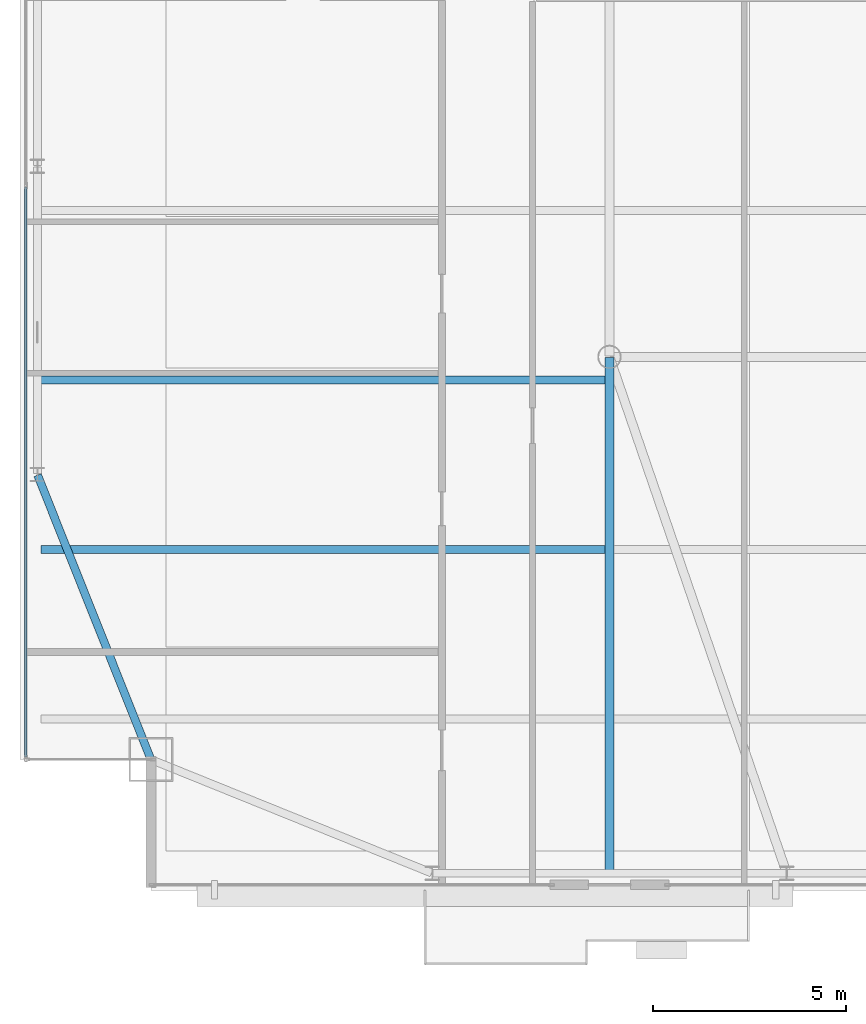
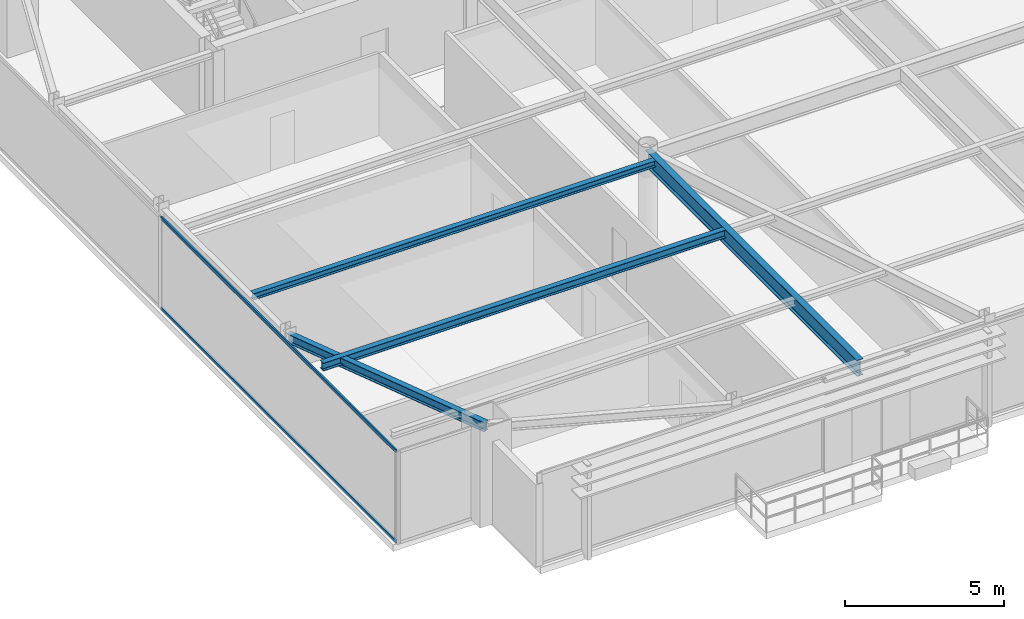
# One storey, part 7 of 30: 4 beams, 2 members, 1 element without a shape of its own.
"""IFC4 building model written with IfcOpenShell, lengths in metres."""

from ifc_helpers import new_model, si_unit, direction, frame, origin, origin_2d, place, context, subcontext, project, spatial, hollow_rectangle, i_section, extrude, source, transform, mapped, material, layer, layer_set, material_profile, profile_set, type_object, type_shapes, element, aggregate, save


model = new_model("IFC4")

# Units and contexts
model_context = context("Model", 3, precision=1e-05, world=origin(), true_north=direction((0.0, 1.0)))
body_context = subcontext(model_context, "Body", "Model", "MODEL_VIEW")
ifc_project = project(units=[si_unit("LENGTHUNIT", "METRE"), si_unit("AREAUNIT", "SQUARE_METRE"), si_unit("VOLUMEUNIT", "CUBIC_METRE"), si_unit("PLANEANGLEUNIT", "RADIAN"), si_unit("MASSUNIT", "GRAM", prefix="KILO")], contexts=[model_context])

# Site, building, storey
site_placement = place(None, origin())
site = spatial("IfcSite", under=ifc_project, at=site_placement, CompositionType="ELEMENT")
building_placement = place(site_placement, origin())
building = spatial("IfcBuilding", under=site, at=building_placement, Name="Varnel Quay Broadcast Tower", CompositionType="ELEMENT")
storey_placement = place(building_placement, frame((0.0, 0.0, 207.39990234375)))
storey = spatial("IfcBuildingStorey", under=building, at=storey_placement, Name="L51", CompositionType="ELEMENT", Elevation=207.39990234375)

# Beams
ifc_material_1 = material(Name="Structural Steel CSA G40.21 350W", Category="steel")
ifc_material_profile_1 = material_profile(ifc_material_1, i_section(OverallWidth=0.205078125, OverallDepth=0.35400390625, WebThickness=0.009521484375, FlangeThickness=0.016845703125, FilletRadius=0.012939453125, at=origin_2d()), Name="W360X79")
ifc_profile_set_1 = profile_set([ifc_material_profile_1], Name="Structural Steel CSA G40.21 350W")
beam_type_1 = type_object("IfcBeamType", Name="Beam_W360X79", PredefinedType="SPANDREL", material=ifc_profile_set_1)
shared_shape_1 = source(origin(), body_context, "Body", "SweptSolid", [
    extrude(i_section(OverallWidth=0.205078125, OverallDepth=0.35400390625, WebThickness=0.009521484375, FlangeThickness=0.016845703125, FilletRadius=0.012939453125, at=origin_2d()), origin(), (0.0, 0.0, 1.0), 7.92626953125),
])
type_shapes(beam_type_1, [shared_shape_1])
beam_1_placement = place(storey_placement, frame((12.892578125, 13.61865234375, 3.373046875), z_axis=(-0.370296431883, 0.928913641053, 0.0), x_axis=(-0.928913641053, -0.370296431883, 0.0)))
element("IfcBeam", 1, at=beam_1_placement, inside=storey, type_object=beam_type_1, Name="L51 West Spandrel MC-SW-TC-W1", PredefinedType="SPANDREL", context=body_context, shape_type="MappedRepresentation", body=[
    mapped(shared_shape_1, transform((0.0, 0.0, 0.0), x_axis=(1.0, 0.0, 0.0), y_axis=(0.0, 1.0, 0.0), z_axis=(0.0, 0.0, 1.0), scale=1.0)),
])
ifc_material_profile_2 = material_profile(ifc_material_1, i_section(OverallWidth=0.22998046875, OverallDepth=0.616943359375, WebThickness=0.01318359375, FlangeThickness=0.022216796875, FilletRadius=0.01611328125, at=origin_2d()), Name="W610X140")
ifc_profile_set_2 = profile_set([ifc_material_profile_2], Name="Structural Steel CSA G40.21 350W")
beam_type_2 = type_object("IfcBeamType", Name="Girder_W610X140", PredefinedType="BEAM", material=ifc_profile_set_2)
shared_shape_2 = source(origin(), body_context, "Body", "SweptSolid", [
    extrude(i_section(OverallWidth=0.22998046875, OverallDepth=0.616943359375, WebThickness=0.01318359375, FlangeThickness=0.022216796875, FilletRadius=0.01611328125, at=origin_2d()), origin(), (0.0, 0.0, 1.0), 13.360107421875),
])
type_shapes(beam_type_2, [shared_shape_2])
beam_2_placement = place(storey_placement, frame((24.800048828125, 10.669921875, 3.24169921875), z_axis=(0.0, 1.0, 0.0), x_axis=(-1.0, 0.0, 0.0)))
element("IfcBeam", 2, at=beam_2_placement, inside=storey, type_object=beam_type_2, Name="L51 N-S Joist Header IC-01S", PredefinedType="BEAM", context=body_context, shape_type="MappedRepresentation", body=[
    mapped(shared_shape_2, transform((0.0, 0.0, 0.0), x_axis=(1.0, 0.0, 0.0), y_axis=(0.0, 1.0, 0.0), z_axis=(0.0, 0.0, 1.0), scale=1.0)),
])
ifc_material_profile_3 = material_profile(ifc_material_1, i_section(OverallWidth=0.201904296875, OverallDepth=0.2470703125, WebThickness=0.00732421875, FlangeThickness=0.010986328125, FilletRadius=0.010986328125, at=origin_2d()), Name="W250X49")
ifc_profile_set_3 = profile_set([ifc_material_profile_3], Name="Structural Steel CSA G40.21 350W")
beam_type_3 = type_object("IfcBeamType", Name="Beam_W250X49", PredefinedType="JOIST", material=ifc_profile_set_3)
shared_shape_3 = source(origin(), body_context, "Body", "SweptSolid", [
    extrude(i_section(OverallWidth=0.201904296875, OverallDepth=0.2470703125, WebThickness=0.00732421875, FlangeThickness=0.010986328125, FilletRadius=0.010986328125, at=origin_2d()), origin(), (0.0, 0.0, 1.0), 14.642333984375),
])
type_shapes(beam_type_3, [shared_shape_3])
beam_3_placement = place(storey_placement, frame((10.047607421875, 23.449951171875, 3.426513671875), z_axis=(1.0, 0.0, 0.0), x_axis=(0.0, 1.0, 0.0)))
element("IfcBeam", 3, at=beam_3_placement, inside=storey, type_object=beam_type_3, Name="L51 West Floor Joist 3", PredefinedType="JOIST", context=body_context, shape_type="MappedRepresentation", body=[
    mapped(shared_shape_3, transform((0.0, 0.0, 0.0), x_axis=(1.0, 0.0, 0.0), y_axis=(0.0, 1.0, 0.0), z_axis=(0.0, 0.0, 1.0), scale=1.0)),
])
ifc_material_profile_4 = material_profile(ifc_material_1, i_section(OverallWidth=0.202880859375, OverallDepth=0.302978515625, WebThickness=0.007568359375, FlangeThickness=0.01318359375, FilletRadius=0.011962890625, at=origin_2d()), Name="W310X60")
ifc_profile_set_4 = profile_set([ifc_material_profile_4], Name="Structural Steel CSA G40.21 350W")
beam_type_4 = type_object("IfcBeamType", Name="Beam_W310X60", PredefinedType="JOIST", material=ifc_profile_set_4)
shared_shape_4 = source(origin(), body_context, "Body", "SweptSolid", [
    extrude(i_section(OverallWidth=0.202880859375, OverallDepth=0.302978515625, WebThickness=0.007568359375, FlangeThickness=0.01318359375, FilletRadius=0.011962890625, at=origin_2d()), origin(), (0.0, 0.0, 1.0), 14.642333984375),
])
type_shapes(beam_type_4, [shared_shape_4])
beam_4_placement = place(storey_placement, frame((10.047607421875, 19.050048828125, 3.398681640625), z_axis=(1.0, 0.0, 0.0), x_axis=(0.0, 1.0, 0.0)))
element("IfcBeam", 4, at=beam_4_placement, inside=storey, type_object=beam_type_4, Name="L51 West Floor Joist 2", PredefinedType="JOIST", context=body_context, shape_type="MappedRepresentation", body=[
    mapped(shared_shape_4, transform((0.0, 0.0, 0.0), x_axis=(1.0, 0.0, 0.0), y_axis=(0.0, 1.0, 0.0), z_axis=(0.0, 0.0, 1.0), scale=1.0)),
])

# Curtain wall, members
ifc_material_2 = material(Name="Anodised Bronze Aluminium 6063-T6", Category="aluminium")
ifc_layer = layer(ifc_material_2, 0.18994140625, Name="Anodised Bronze Aluminium 6063-T6")
ifc_layer_set = layer_set([ifc_layer], Name="Anodised Bronze Aluminium 6063-T6")
curtain_wall_type = type_object("IfcCurtainWallType", Name="CW_UpperTower", PredefinedType="NOTDEFINED", material=ifc_layer_set)
curtain_wall_placement = place(storey_placement, origin())
curtain_wall = element("IfcCurtainWall", 5, at=curtain_wall_placement, inside=storey, type_object=curtain_wall_type, Name="L51 West Unitised Curtain Wall", PredefinedType="NOTDEFINED")
ifc_material_profile_5 = material_profile(ifc_material_2, hollow_rectangle(XDim=0.06005859375, YDim=0.125, WallThickness=0.0029296875, at=origin_2d()), Name="ALU60X125X3")
ifc_profile_set_5 = profile_set([ifc_material_profile_5], Name="Anodised Bronze Aluminium 6063-T6")
member_type = type_object("IfcMemberType", Name="Tran_CWS-03", PredefinedType="USERDEFINED", material=ifc_profile_set_5)
shared_shape_5 = source(origin(), body_context, "Body", "SweptSolid", [
    extrude(hollow_rectangle(XDim=0.06005859375, YDim=0.125, WallThickness=0.0029296875, at=origin_2d()), origin(), (0.0, 0.0, 1.0), 14.802490234375),
])
type_shapes(member_type, [shared_shape_5])
member_1_placement = place(storey_placement, frame((9.64990234375, 13.6650390625, 0.030029296875), z_axis=(0.0, 1.0, 0.0), x_axis=(-1.0, 0.0, 0.0)))
member_1 = element("IfcMember", 6, at=member_1_placement, type_object=member_type, Name="CWS-03 transom 1.1", ObjectType="TRANSOM", PredefinedType="USERDEFINED", context=body_context, shape_type="MappedRepresentation", body=[
    mapped(shared_shape_5, transform((0.0, 0.0, 0.0), x_axis=(1.0, 0.0, 0.0), y_axis=(0.0, 1.0, 0.0), z_axis=(0.0, 0.0, 1.0), scale=1.0)),
])
member_2_placement = place(storey_placement, frame((9.64990234375, 13.6650390625, 3.52001953125), z_axis=(0.0, 1.0, 0.0), x_axis=(-1.0, 0.0, 0.0)))
member_2 = element("IfcMember", 7, at=member_2_placement, type_object=member_type, Name="CWS-03 transom 1.2", ObjectType="TRANSOM", PredefinedType="USERDEFINED", context=body_context, shape_type="MappedRepresentation", body=[
    mapped(shared_shape_5, transform((0.0, 0.0, 0.0), x_axis=(1.0, 0.0, 0.0), y_axis=(0.0, 1.0, 0.0), z_axis=(0.0, 0.0, 1.0), scale=1.0)),
])
aggregate(curtain_wall, [member_1, member_2])

save(model, "model.ifc")
